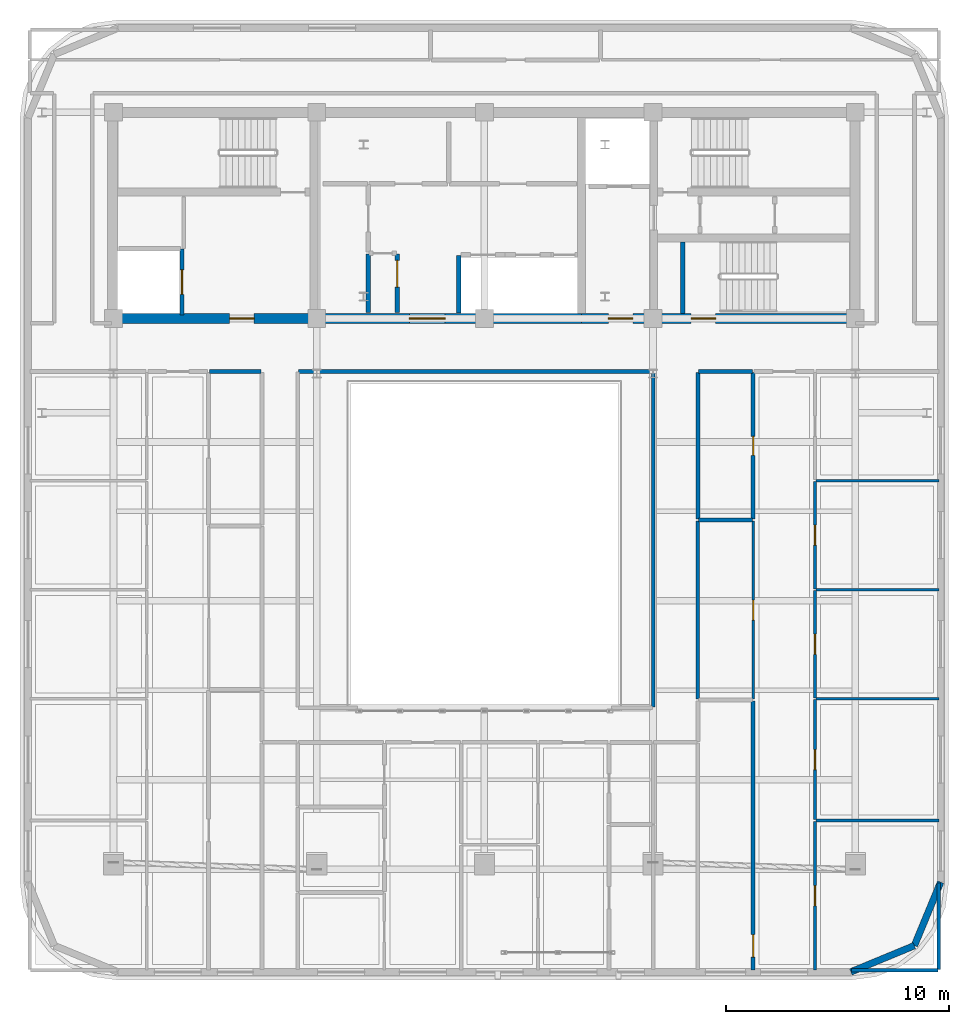
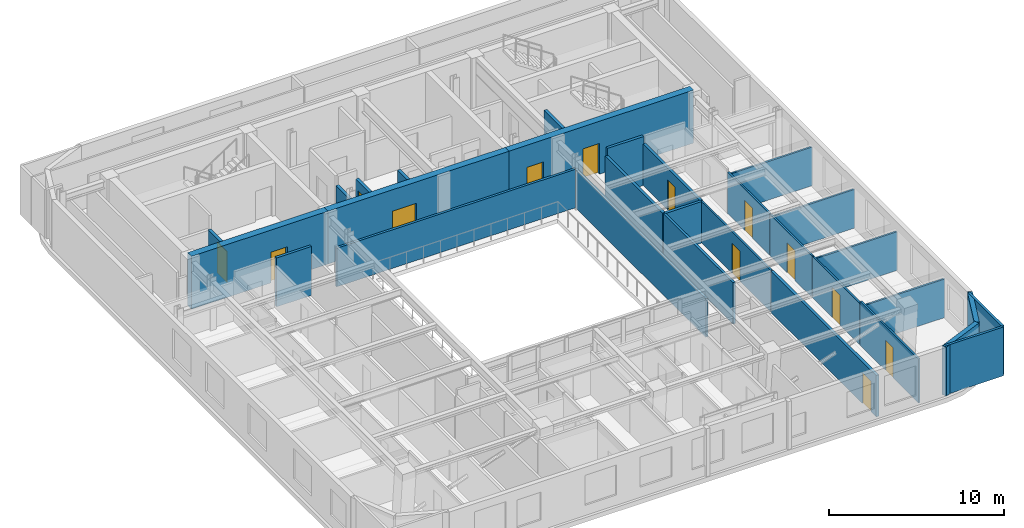
# One storey, part 9 of 14: 30 walls, 13 doors, 13 openings.
"""IFC4 building model written with IfcOpenShell, lengths in metres."""

from ifc_helpers import new_model, si_unit, direction, frame, frame_2d, origin, place, context, subcontext, project, spatial, rectangle, extrude, material, layer, layer_set, type_object, element, fill, save


model = new_model("IFC4")

# Units and contexts
model_context = context("Model", 3, precision=1e-05, world=origin(), true_north=direction((0.0, 1.0)))
body_context = subcontext(model_context, "Body", "Model", "MODEL_VIEW")
ifc_project = project(units=[si_unit("LENGTHUNIT", "METRE"), si_unit("AREAUNIT", "SQUARE_METRE"), si_unit("VOLUMEUNIT", "CUBIC_METRE"), si_unit("PLANEANGLEUNIT", "RADIAN"), si_unit("MASSUNIT", "GRAM", prefix="KILO")], contexts=[model_context])

# Site, building, storey
site_placement = place(None, origin())
site = spatial("IfcSite", under=ifc_project, at=site_placement, CompositionType="ELEMENT")
building_placement = place(site_placement, origin())
building = spatial("IfcBuilding", under=site, at=building_placement, Name="Zarnavel Station Tower", CompositionType="ELEMENT")
storey_placement = place(building_placement, frame((0.0, 0.0, 251.0)))
storey = spatial("IfcBuildingStorey", under=building, at=storey_placement, Name="L68", CompositionType="ELEMENT", Elevation=251.0)

# Wall, opening, door
ifc_material_1 = material(Name="Concrete C50/60", Category="concrete")
ifc_layer_1 = layer(ifc_material_1, 0.449951171875)
ifc_layer_set_1 = layer_set([ifc_layer_1], Name="CW_450")
wall_type_1 = type_object("IfcWallType", Name="CW_450", PredefinedType="SHEAR", material=ifc_layer_set_1)
wall_1_placement = place(storey_placement, frame((21.179931640625, 27.820068359375, 0.0), z_axis=(0.0, 0.0, 1.0), x_axis=(-1.0, 0.0, 0.0)))
wall_1 = element("IfcWall", 1, at=wall_1_placement, inside=storey, type_object=wall_type_1, Name="L68 Rear Core Shear Wall S-W", PredefinedType="SHEAR", context=body_context, shape_type="SweptSolid", body=[
    extrude(rectangle(XDim=9.030029296875, YDim=0.449951171875, at=frame_2d((4.51513671875, 0.0))), origin(), (0.0, 0.0, 1.0), 3.699951171875),
])
opening_1_placement = place(wall_1_placement, frame((2.679931640625, 0.0, 0.0)))
opening_1 = element("IfcOpeningElement", 2, at=opening_1_placement, cuts=wall_1, Name="Opening FD01", PredefinedType="OPENING", context=body_context, shape_type="SweptSolid", body=[
    extrude(rectangle(XDim=1.10009765625, YDim=2.14990234375, at=frame_2d((0.550048828125, 1.074951171875))), frame((0.0, 0.23486328125, 0.0), z_axis=(0.0, -1.0, 0.0), x_axis=(1.0, 0.0, 0.0)), (0.0, 0.0, 1.0), 0.469970703125),
])
ifc_material_2 = material(Name="Painted Galvanised Steel and Hardwood Leaf", Category="steel")
door_type_1 = type_object("IfcDoorType", Name="ID_STAIR_1100", OperationType="NOTDEFINED", PredefinedType="DOOR", material=ifc_material_2)
door_1_placement = place(opening_1_placement, origin())
door_1 = element("IfcDoor", 3, at=door_1_placement, inside=storey, type_object=door_type_1, Name="L68 West Firefighting Lobby Door", OperationType="SINGLE_SWING_RIGHT", OverallHeight=2.14990234375, OverallWidth=1.10009765625, PredefinedType="DOOR", context=body_context, shape_type="SweptSolid", body=[
    extrude(rectangle(XDim=1.10009765625, YDim=2.14990234375, at=frame_2d((0.550048828125, 1.074951171875))), frame((0.0, 0.02490234375, 0.0), z_axis=(0.0, -1.0, 0.0), x_axis=(1.0, 0.0, 0.0)), (0.0, 0.0, 1.0), 0.050048828125),
])
fill(opening_1, door_1)

wall_2_placement = place(storey_placement, frame((33.14990234375, 27.820068359375, 0.0), z_axis=(0.0, 0.0, 1.0), x_axis=(-1.0, 0.0, 0.0)))
wall_2 = element("IfcWall", 4, at=wall_2_placement, inside=storey, type_object=wall_type_1, Name="L68 Rear Core Shear Wall S-M", PredefinedType="SHEAR", context=body_context, shape_type="SweptSolid", body=[
    extrude(rectangle(XDim=11.969970703125, YDim=0.449951171875, at=frame_2d((5.98486328125, 0.0))), origin(), (0.0, 0.0, 1.0), 3.699951171875),
])
opening_2_placement = place(wall_2_placement, frame((6.10009765625, 0.0, 0.0)))
opening_2 = element("IfcOpeningElement", 5, at=opening_2_placement, cuts=wall_2, Name="Opening ID03", PredefinedType="OPENING", context=body_context, shape_type="SweptSolid", body=[
    extrude(rectangle(XDim=1.60009765625, YDim=2.199951171875, at=frame_2d((0.800048828125, 1.10009765625))), frame((0.0, 0.23486328125, 0.0), z_axis=(0.0, -1.0, 0.0), x_axis=(1.0, 0.0, 0.0)), (0.0, 0.0, 1.0), 0.469970703125),
])
ifc_material_3 = material(Name="Painted Galvanised Steel and Hardwood Leaf", Category="steel")
door_type_2 = type_object("IfcDoorType", Name="ID_PUBLIC_1600", OperationType="DOUBLE_DOOR_SINGLE_SWING", PredefinedType="DOOR", material=ifc_material_3)
door_2_placement = place(opening_2_placement, origin())
door_2 = element("IfcDoor", 6, at=door_2_placement, inside=storey, type_object=door_type_2, Name="L68 Passenger Lift Lobby Double Door", OperationType="SINGLE_SWING_LEFT", OverallHeight=2.199951171875, OverallWidth=1.60009765625, PredefinedType="DOOR", context=body_context, shape_type="SweptSolid", body=[
    extrude(rectangle(XDim=1.60009765625, YDim=2.199951171875, at=frame_2d((0.800048828125, 1.10009765625))), frame((0.0, 0.02490234375, 0.0), z_axis=(0.0, -1.0, 0.0), x_axis=(1.0, 0.0, 0.0)), (0.0, 0.0, 1.0), 0.050048828125),
])
fill(opening_2, door_2)

# Wall, openings, doors
wall_3_placement = place(storey_placement, frame((45.3798828125, 27.820068359375, 0.0), z_axis=(0.0, 0.0, 1.0), x_axis=(-1.0, 0.0, 0.0)))
wall_3 = element("IfcWall", 7, at=wall_3_placement, inside=storey, type_object=wall_type_1, Name="L68 Rear Core Shear Wall S-E", PredefinedType="SHEAR", context=body_context, shape_type="SweptSolid", body=[
    extrude(rectangle(XDim=12.22998046875, YDim=0.449951171875, at=frame_2d((6.114990234375, 0.0))), origin(), (0.0, 0.0, 1.0), 3.699951171875),
])
opening_3_placement = place(wall_3_placement, frame((9.929931640625, 0.0, 0.0)))
opening_3 = element("IfcOpeningElement", 8, at=opening_3_placement, cuts=wall_3, Name="Opening FD01", PredefinedType="OPENING", context=body_context, shape_type="SweptSolid", body=[
    extrude(rectangle(XDim=1.10009765625, YDim=2.14990234375, at=frame_2d((0.550048828125, 1.074951171875))), frame((0.0, 0.23486328125, 0.0), z_axis=(0.0, -1.0, 0.0), x_axis=(1.0, 0.0, 0.0)), (0.0, 0.0, 1.0), 0.469970703125),
])
opening_4_placement = place(wall_3_placement, frame((6.22998046875, 0.0, 0.0)))
opening_4 = element("IfcOpeningElement", 9, at=opening_4_placement, cuts=wall_3, Name="Opening FD01", PredefinedType="OPENING", context=body_context, shape_type="SweptSolid", body=[
    extrude(rectangle(XDim=1.10009765625, YDim=2.14990234375, at=frame_2d((0.550048828125, 1.074951171875))), frame((0.0, 0.23486328125, 0.0), z_axis=(0.0, -1.0, 0.0), x_axis=(1.0, 0.0, 0.0)), (0.0, 0.0, 1.0), 0.469970703125),
])
door_3_placement = place(opening_3_placement, origin())
door_3 = element("IfcDoor", 10, at=door_3_placement, inside=storey, type_object=door_type_1, Name="L68 East Firefighting Lobby Door", OperationType="SINGLE_SWING_LEFT", OverallHeight=2.14990234375, OverallWidth=1.10009765625, PredefinedType="DOOR", context=body_context, shape_type="SweptSolid", body=[
    extrude(rectangle(XDim=1.10009765625, YDim=2.14990234375, at=frame_2d((0.550048828125, 1.074951171875))), frame((0.0, 0.02490234375, 0.0), z_axis=(0.0, -1.0, 0.0), x_axis=(1.0, 0.0, 0.0)), (0.0, 0.0, 1.0), 0.050048828125),
])
fill(opening_3, door_3)
door_4_placement = place(opening_4_placement, origin())
door_4 = element("IfcDoor", 11, at=door_4_placement, inside=storey, type_object=door_type_1, Name="L68 Stair ST3 Corridor Fire Door", OperationType="SINGLE_SWING_RIGHT", OverallHeight=2.14990234375, OverallWidth=1.10009765625, PredefinedType="DOOR", context=body_context, shape_type="SweptSolid", body=[
    extrude(rectangle(XDim=1.10009765625, YDim=2.14990234375, at=frame_2d((0.550048828125, 1.074951171875))), frame((0.0, 0.02490234375, 0.0), z_axis=(0.0, -1.0, 0.0), x_axis=(1.0, 0.0, 0.0)), (0.0, 0.0, 1.0), 0.050048828125),
])
fill(opening_4, door_4)

# Walls
ifc_material_4 = material(Name="Precast concrete C45/55 (Dark Basalt Finish)", Category="masonry")
ifc_layer_2 = layer(ifc_material_4, 0.300048828125)
ifc_layer_set_2 = layer_set([ifc_layer_2], Name="EW_BASALT_300")
wall_type_2 = type_object("IfcWallType", Name="EW_BASALT_300", PredefinedType="SOLIDWALL", material=ifc_layer_set_2)
wall_4_placement = place(storey_placement, frame((48.04248046875, -0.24267578125, 0.0), z_axis=(0.0, 0.0, 1.0), x_axis=(-0.92389884758, -0.382636798336, 0.0)))
element("IfcWall", 12, at=wall_4_placement, inside=storey, type_object=wall_type_2, Name="L68 Exterior Basalt Masonry Frame Wall 01", PredefinedType="SOLIDWALL", context=body_context, shape_type="SweptSolid", body=[
    extrude(rectangle(XDim=3.07666015625, YDim=0.300048828125, at=frame_2d((1.538330078125, 0.0))), origin(), (0.0, 0.0, 1.0), 3.419921875),
])
wall_5_placement = place(storey_placement, frame((49.219970703125, 2.60009765625, 0.0), z_axis=(0.0, 0.0, 1.0), x_axis=(-0.382676475685, -0.923882414032, 0.0)))
element("IfcWall", 13, at=wall_5_placement, inside=storey, type_object=wall_type_2, Name="L68 Exterior Basalt Masonry Frame Wall 02", PredefinedType="SOLIDWALL", context=body_context, shape_type="SweptSolid", body=[
    extrude(rectangle(XDim=3.076904296875, YDim=0.300048828125, at=frame_2d((1.53857421875, 0.0))), origin(), (0.0, 0.0, 1.0), 3.419921875),
])
ifc_material_5 = material(Name="Gypsum Twin-Stud Acoustic Fire Partition", Category="concrete")
ifc_layer_3 = layer(ifc_material_5, 0.159912109375)
ifc_layer_set_3 = layer_set([ifc_layer_3], Name="PT_DEMISE_160")
wall_type_3 = type_object("IfcWallType", Name="PT_DEMISE_160", PredefinedType="PARTITIONING", material=ifc_layer_set_3)
wall_6_placement = place(storey_placement, frame((38.35009765625, 10.787109375, 0.0), z_axis=(0.0, 0.0, 1.0), x_axis=(0.0, 1.0, 0.0)))
element("IfcWall", 14, at=wall_6_placement, inside=storey, type_object=wall_type_3, Name="L68 Partition COR-AE-UE1UT", PredefinedType="PARTITIONING", context=body_context, shape_type="SweptSolid", body=[
    extrude(rectangle(XDim=7.974853515625, YDim=0.159912109375, at=frame_2d((3.9873046875, 0.0))), origin(), (0.0, 0.0, 1.0), 2.89990234375),
])
wall_7_placement = place(storey_placement, frame((20.47998046875, 25.449951171875, 0.0), z_axis=(0.0, 0.0, 1.0), x_axis=(1.0, 0.0, 0.0)))
element("IfcWall", 15, at=wall_7_placement, inside=storey, type_object=wall_type_3, Name="L68 Enclosure Wall COR-S", PredefinedType="PARTITIONING", context=body_context, shape_type="SweptSolid", body=[
    extrude(rectangle(XDim=15.840087890625, YDim=0.159912109375, at=frame_2d((7.919921875, 0.0))), origin(), (0.0, 0.0, 1.0), 2.699951171875),
])
wall_8_placement = place(storey_placement, frame((36.35009765625, 10.429931640625, 0.0), z_axis=(0.0, 0.0, 1.0), x_axis=(0.0, 1.0, 0.0)))
element("IfcWall", 16, at=wall_8_placement, inside=storey, type_object=wall_type_3, Name="L68 Enclosure Wall COR-AE", PredefinedType="PARTITIONING", context=body_context, shape_type="SweptSolid", body=[
    extrude(rectangle(XDim=14.989990234375, YDim=0.159912109375, at=frame_2d((7.4951171875, 0.0))), origin(), (0.0, 0.0, 1.0), 2.699951171875),
])
for number, where, z_axis, x_axis, name in (
    (17, (45.22998046875, -1.340087890625, 0.0), (0.0, 0.0, 1.0), (1.0, 0.0, 0.0), "L68 Enclosure Wall UE1B1"),
    (18, (49.139892578125, -1.31005859375, 0.0), (0.0, 0.0, 1.0), (0.0, 1.0, 0.0), "L68 Enclosure Wall UE1B1"),
):
    element("IfcWall", number, at=place(storey_placement, frame(where, z_axis=z_axis, x_axis=x_axis)), inside=storey, type_object=wall_type_3, Name=name, PredefinedType="PARTITIONING", context=body_context, shape_type="SweptSolid", body=[
        extrude(rectangle(XDim=3.880126953125, YDim=0.159912109375, at=frame_2d((1.93994140625, 0.0))), origin(), (0.0, 0.0, 1.0), 3.419921875),
    ])

# Wall, opening, door
ifc_material_6 = material(Name="Gypsum Metal-Stud Interior Partition", Category="concrete")
ifc_layer_4 = layer(ifc_material_6, 0.1201171875)
ifc_layer_set_4 = layer_set([ifc_layer_4], Name="PT_ROOM_120")
wall_type_4 = type_object("IfcWallType", Name="PT_ROOM_120", PredefinedType="PARTITIONING", material=ifc_layer_set_4)
wall_9_placement = place(storey_placement, frame((40.83203125, 10.787109375, 0.0), z_axis=(0.0, 0.0, 1.0), x_axis=(0.0, 1.0, 0.0)))
wall_9 = element("IfcWall", 19, at=wall_9_placement, inside=storey, type_object=wall_type_4, Name="L68 Partition UE1LV-UE1UT", PredefinedType="PARTITIONING", context=body_context, shape_type="SweptSolid", body=[
    extrude(rectangle(XDim=7.974853515625, YDim=0.1201171875, at=frame_2d((3.9873046875, 0.0))), origin(), (0.0, 0.0, 1.0), 2.89990234375),
])
opening_5_placement = place(wall_9_placement, frame((3.53759765625, 0.0, 0.0)))
opening_5 = element("IfcOpeningElement", 20, at=opening_5_placement, cuts=wall_9, Name="Opening ID01", PredefinedType="OPENING", context=body_context, shape_type="SweptSolid", body=[
    extrude(rectangle(XDim=0.89990234375, YDim=2.10009765625, at=frame_2d((0.449951171875, 1.050048828125))), frame((0.0, 0.070068359375, 0.0), z_axis=(0.0, -1.0, 0.0), x_axis=(1.0, 0.0, 0.0)), (0.0, 0.0, 1.0), 0.14013671875),
])
ifc_material_7 = material(Name="Painted Galvanised Steel and Hardwood Leaf", Category="steel")
door_type_3 = type_object("IfcDoorType", Name="ID_ROOM_900", OperationType="NOTDEFINED", PredefinedType="DOOR", material=ifc_material_7)
door_5_placement = place(opening_5_placement, origin())
door_5 = element("IfcDoor", 21, at=door_5_placement, inside=storey, type_object=door_type_3, Name="L68 Door UE1LV-UE1UT", OperationType="SINGLE_SWING_LEFT", OverallHeight=2.10009765625, OverallWidth=0.89990234375, PredefinedType="DOOR", context=body_context, shape_type="SweptSolid", body=[
    extrude(rectangle(XDim=0.89990234375, YDim=2.10009765625, at=frame_2d((0.449951171875, 1.050048828125))), frame((0.0, 0.02490234375, 0.0), z_axis=(0.0, -1.0, 0.0), x_axis=(1.0, 0.0, 0.0)), (0.0, 0.0, 1.0), 0.050048828125),
])
fill(opening_5, door_5)

wall_10_placement = place(storey_placement, frame((43.593994140625, -1.340087890625, 0.0), z_axis=(0.0, 0.0, 1.0), x_axis=(0.0, 1.0, 0.0)))
wall_10 = element("IfcWall", 22, at=wall_10_placement, inside=storey, type_object=wall_type_4, Name="L68 Partition UE1LV-UE1B1", PredefinedType="PARTITIONING", context=body_context, shape_type="SweptSolid", body=[
    extrude(rectangle(XDim=6.656982421875, YDim=0.1201171875, at=frame_2d((3.32861328125, 0.0))), origin(), (0.0, 0.0, 1.0), 3.080078125),
])
opening_6_placement = place(wall_10_placement, frame((2.87841796875, 0.0, 0.0)))
opening_6 = element("IfcOpeningElement", 23, at=opening_6_placement, cuts=wall_10, Name="Opening ID01", PredefinedType="OPENING", context=body_context, shape_type="SweptSolid", body=[
    extrude(rectangle(XDim=0.89990234375, YDim=2.10009765625, at=frame_2d((0.449951171875, 1.050048828125))), frame((0.0, 0.070068359375, 0.0), z_axis=(0.0, -1.0, 0.0), x_axis=(1.0, 0.0, 0.0)), (0.0, 0.0, 1.0), 0.14013671875),
])
door_6_placement = place(opening_6_placement, origin())
door_6 = element("IfcDoor", 24, at=door_6_placement, inside=storey, type_object=door_type_3, Name="L68 Door UE1LV-UE1B1", OperationType="SINGLE_SWING_LEFT", OverallHeight=2.10009765625, OverallWidth=0.89990234375, PredefinedType="DOOR", context=body_context, shape_type="SweptSolid", body=[
    extrude(rectangle(XDim=0.89990234375, YDim=2.10009765625, at=frame_2d((0.449951171875, 1.050048828125))), frame((0.0, 0.02490234375, 0.0), z_axis=(0.0, -1.0, 0.0), x_axis=(1.0, 0.0, 0.0)), (0.0, 0.0, 1.0), 0.050048828125),
])
fill(opening_6, door_6)

wall_11_placement = place(storey_placement, frame((43.593994140625, 5.39697265625, 0.0), z_axis=(0.0, 0.0, 1.0), x_axis=(0.0, 1.0, 0.0)))
wall_11 = element("IfcWall", 25, at=wall_11_placement, inside=storey, type_object=wall_type_4, Name="L68 Partition UE1LV-UE1B2", PredefinedType="PARTITIONING", context=body_context, shape_type="SweptSolid", body=[
    extrude(rectangle(XDim=5.369140625, YDim=0.1201171875, at=frame_2d((2.6845703125, 0.0))), origin(), (0.0, 0.0, 1.0), 2.89990234375),
])
opening_7_placement = place(wall_11_placement, frame((2.234619140625, 0.0, 0.0)))
opening_7 = element("IfcOpeningElement", 26, at=opening_7_placement, cuts=wall_11, Name="Opening ID01", PredefinedType="OPENING", context=body_context, shape_type="SweptSolid", body=[
    extrude(rectangle(XDim=0.89990234375, YDim=2.10009765625, at=frame_2d((0.449951171875, 1.050048828125))), frame((0.0, 0.070068359375, 0.0), z_axis=(0.0, -1.0, 0.0), x_axis=(1.0, 0.0, 0.0)), (0.0, 0.0, 1.0), 0.14013671875),
])
door_7_placement = place(opening_7_placement, origin())
door_7 = element("IfcDoor", 27, at=door_7_placement, inside=storey, type_object=door_type_3, Name="L68 Door UE1LV-UE1B2", OperationType="SINGLE_SWING_RIGHT", OverallHeight=2.10009765625, OverallWidth=0.89990234375, PredefinedType="DOOR", context=body_context, shape_type="SweptSolid", body=[
    extrude(rectangle(XDim=0.89990234375, YDim=2.10009765625, at=frame_2d((0.449951171875, 1.050048828125))), frame((0.0, 0.02490234375, 0.0), z_axis=(0.0, -1.0, 0.0), x_axis=(1.0, 0.0, 0.0)), (0.0, 0.0, 1.0), 0.050048828125),
])
fill(opening_7, door_7)

wall_12_placement = place(storey_placement, frame((43.593994140625, 10.845947265625, 0.0), z_axis=(0.0, 0.0, 1.0), x_axis=(0.0, 1.0, 0.0)))
wall_12 = element("IfcWall", 28, at=wall_12_placement, inside=storey, type_object=wall_type_4, Name="L68 Partition UE1LV-UE1B3", PredefinedType="PARTITIONING", context=body_context, shape_type="SweptSolid", body=[
    extrude(rectangle(XDim=4.801025390625, YDim=0.1201171875, at=frame_2d((2.400390625, 0.0))), origin(), (0.0, 0.0, 1.0), 2.89990234375),
])
opening_8_placement = place(wall_12_placement, frame((1.950439453125, 0.0, 0.0)))
opening_8 = element("IfcOpeningElement", 29, at=opening_8_placement, cuts=wall_12, Name="Opening ID01", PredefinedType="OPENING", context=body_context, shape_type="SweptSolid", body=[
    extrude(rectangle(XDim=0.89990234375, YDim=2.10009765625, at=frame_2d((0.449951171875, 1.050048828125))), frame((0.0, 0.070068359375, 0.0), z_axis=(0.0, -1.0, 0.0), x_axis=(1.0, 0.0, 0.0)), (0.0, 0.0, 1.0), 0.14013671875),
])
door_8_placement = place(opening_8_placement, origin())
door_8 = element("IfcDoor", 30, at=door_8_placement, inside=storey, type_object=door_type_3, Name="L68 Door UE1LV-UE1B3", OperationType="SINGLE_SWING_LEFT", OverallHeight=2.10009765625, OverallWidth=0.89990234375, PredefinedType="DOOR", context=body_context, shape_type="SweptSolid", body=[
    extrude(rectangle(XDim=0.89990234375, YDim=2.10009765625, at=frame_2d((0.449951171875, 1.050048828125))), frame((0.0, 0.02490234375, 0.0), z_axis=(0.0, -1.0, 0.0), x_axis=(1.0, 0.0, 0.0)), (0.0, 0.0, 1.0), 0.050048828125),
])
fill(opening_8, door_8)

wall_13_placement = place(storey_placement, frame((43.593994140625, 15.72705078125, 0.0), z_axis=(0.0, 0.0, 1.0), x_axis=(0.0, 1.0, 0.0)))
wall_13 = element("IfcWall", 31, at=wall_13_placement, inside=storey, type_object=wall_type_4, Name="L68 Partition UE1LV-UE1B4", PredefinedType="PARTITIONING", context=body_context, shape_type="SweptSolid", body=[
    extrude(rectangle(XDim=4.801025390625, YDim=0.1201171875, at=frame_2d((2.400390625, 0.0))), origin(), (0.0, 0.0, 1.0), 2.89990234375),
])
opening_9_placement = place(wall_13_placement, frame((1.950439453125, 0.0, 0.0)))
opening_9 = element("IfcOpeningElement", 32, at=opening_9_placement, cuts=wall_13, Name="Opening ID01", PredefinedType="OPENING", context=body_context, shape_type="SweptSolid", body=[
    extrude(rectangle(XDim=0.89990234375, YDim=2.10009765625, at=frame_2d((0.449951171875, 1.050048828125))), frame((0.0, 0.070068359375, 0.0), z_axis=(0.0, -1.0, 0.0), x_axis=(1.0, 0.0, 0.0)), (0.0, 0.0, 1.0), 0.14013671875),
])
door_9_placement = place(opening_9_placement, origin())
door_9 = element("IfcDoor", 33, at=door_9_placement, inside=storey, type_object=door_type_3, Name="L68 Door UE1LV-UE1B4", OperationType="SINGLE_SWING_RIGHT", OverallHeight=2.10009765625, OverallWidth=0.89990234375, PredefinedType="DOOR", context=body_context, shape_type="SweptSolid", body=[
    extrude(rectangle(XDim=0.89990234375, YDim=2.10009765625, at=frame_2d((0.449951171875, 1.050048828125))), frame((0.0, 0.02490234375, 0.0), z_axis=(0.0, -1.0, 0.0), x_axis=(1.0, 0.0, 0.0)), (0.0, 0.0, 1.0), 0.050048828125),
])
fill(opening_9, door_9)

# Walls
for number, where, z_axis, x_axis, name in (
    (34, (43.634033203125, 5.35693359375, 0.0), (0.0, 0.0, 1.0), (1.0, 0.0, 0.0), "L68 Partition UE1B1-UE1B2"),
    (35, (43.634033203125, 10.805908203125, 0.0), (0.0, 0.0, 1.0), (1.0, 0.0, 0.0), "L68 Partition UE1B2-UE1B3"),
    (36, (43.634033203125, 15.68701171875, 0.0), (0.0, 0.0, 1.0), (1.0, 0.0, 0.0), "L68 Partition UE1B3-UE1B4"),
    (37, (43.634033203125, 20.568115234375, 0.0), (0.0, 0.0, 1.0), (1.0, 0.0, 0.0), "L68 Partition UE1B4-UE1B5"),
):
    element("IfcWall", number, at=place(storey_placement, frame(where, z_axis=z_axis, x_axis=x_axis)), inside=storey, type_object=wall_type_4, Name=name, PredefinedType="PARTITIONING", context=body_context, shape_type="SweptSolid", body=[
        extrude(rectangle(XDim=5.505859375, YDim=0.1201171875, at=frame_2d((2.7529296875, 0.0))), origin(), (0.0, 0.0, 1.0), 2.699951171875),
    ])

# Wall, opening, door
ifc_material_8 = material(Name="Precast concrete C45/55 (Fire Shaft Blockwork)", Category="masonry")
ifc_layer_5 = layer(ifc_material_8, 0.199951171875)
ifc_layer_set_5 = layer_set([ifc_layer_5], Name="PT_SHAFT_200")
wall_type_5 = type_object("IfcWallType", Name="PT_SHAFT_200", PredefinedType="PARTITIONING", material=ifc_layer_set_5)
wall_14_placement = place(storey_placement, frame((15.27001953125, 27.969970703125, 0.0), z_axis=(0.0, 0.0, 1.0), x_axis=(0.0, 1.0, 0.0)))
wall_14 = element("IfcWall", 38, at=wall_14_placement, inside=storey, type_object=wall_type_5, Name="L68 Lift FFL-01 Shaft Front Wall", PredefinedType="PARTITIONING", context=body_context, shape_type="SweptSolid", body=[
    extrude(rectangle(XDim=2.9599609375, YDim=0.199951171875, at=frame_2d((1.47998046875, 0.0))), origin(), (0.0, 0.0, 1.0), 2.489990234375),
])
opening_10_placement = place(wall_14_placement, frame((0.929931640625, 0.0, 0.0)))
opening_10 = element("IfcOpeningElement", 39, at=opening_10_placement, cuts=wall_14, Name="Opening LD01", PredefinedType="OPENING", context=body_context, shape_type="SweptSolid", body=[
    extrude(rectangle(XDim=1.10009765625, YDim=2.14990234375, at=frame_2d((0.550048828125, 1.074951171875))), frame((0.0, 0.10986328125, 0.0), z_axis=(0.0, -1.0, 0.0), x_axis=(1.0, 0.0, 0.0)), (0.0, 0.0, 1.0), 0.219970703125),
])
ifc_material_9 = material(Name="Painted Galvanised Steel and Hardwood Leaf", Category="steel")
door_type_4 = type_object("IfcDoorType", Name="LD_FF_1100", OperationType="DOUBLE_DOOR_SLIDING", PredefinedType="DOOR", material=ifc_material_9)
door_10_placement = place(opening_10_placement, origin())
door_10 = element("IfcDoor", 40, at=door_10_placement, inside=storey, type_object=door_type_4, Name="L68 Lift FFL-01 Sliding Landing Door", OperationType="DOUBLE_DOOR_SLIDING", OverallHeight=2.14990234375, OverallWidth=1.10009765625, PredefinedType="DOOR", context=body_context, shape_type="SweptSolid", body=[
    extrude(rectangle(XDim=1.10009765625, YDim=2.14990234375, at=frame_2d((0.550048828125, 1.074951171875))), frame((0.0, 0.02490234375, 0.0), z_axis=(0.0, -1.0, 0.0), x_axis=(1.0, 0.0, 0.0)), (0.0, 0.0, 1.0), 0.050048828125),
])
fill(opening_10, door_10)

# Walls
wall_15_placement = place(storey_placement, frame((27.64990234375, 28.070068359375, 0.0), z_axis=(0.0, 0.0, 1.0), x_axis=(0.0, 1.0, 0.0)))
element("IfcWall", 41, at=wall_15_placement, inside=storey, type_object=wall_type_5, Name="L68 High-Rise Lift Bank West Shaft Wall", PredefinedType="PARTITIONING", context=body_context, shape_type="SweptSolid", body=[
    extrude(rectangle(XDim=2.579833984375, YDim=0.199951171875, at=frame_2d((1.2900390625, 0.0))), origin(), (0.0, 0.0, 1.0), 2.489990234375),
])
wall_16_placement = place(storey_placement, frame((37.679931640625, 28.044921875, 0.0), z_axis=(0.0, 0.0, 1.0), x_axis=(0.0, 1.0, 0.0)))
element("IfcWall", 42, at=wall_16_placement, inside=storey, type_object=wall_type_5, Name="L68 Stair ST3 West Shaft Wall", PredefinedType="PARTITIONING", context=body_context, shape_type="SweptSolid", body=[
    extrude(rectangle(XDim=3.205078125, YDim=0.199951171875, at=frame_2d((1.6025390625, 0.0))), origin(), (0.0, 0.0, 1.0), 2.800048828125),
])

# Wall, opening, door
wall_17_placement = place(storey_placement, frame((24.89990234375, 30.7099609375, 0.0), z_axis=(0.0, 0.0, 1.0), x_axis=(0.0, -1.0, 0.0)))
wall_17 = element("IfcWall", 43, at=wall_17_placement, inside=storey, type_object=wall_type_5, Name="L68 Partition LLOBS-CS2", PredefinedType="PARTITIONING", context=body_context, shape_type="SweptSolid", body=[
    extrude(rectangle(XDim=2.619873046875, YDim=0.199951171875, at=frame_2d((1.31005859375, 0.0))), origin(), (0.0, 0.0, 1.0), 2.800048828125),
])
opening_11_placement = place(wall_17_placement, frame((0.282470703125, 0.0, 0.0)))
opening_11 = element("IfcOpeningElement", 44, at=opening_11_placement, cuts=wall_17, Name="Opening FD03", PredefinedType="OPENING", context=body_context, shape_type="SweptSolid", body=[
    extrude(rectangle(XDim=1.199951171875, YDim=2.14990234375, at=frame_2d((0.60009765625, 1.074951171875))), frame((0.0, 0.10986328125, 0.0), z_axis=(0.0, -1.0, 0.0), x_axis=(1.0, 0.0, 0.0)), (0.0, 0.0, 1.0), 0.219970703125),
])
ifc_material_10 = material(Name="Painted Galvanised Steel and Hardwood Leaf", Category="steel")
door_type_5 = type_object("IfcDoorType", Name="ID_PLANT_1200", OperationType="NOTDEFINED", PredefinedType="DOOR", material=ifc_material_10)
door_11_placement = place(opening_11_placement, origin())
door_11 = element("IfcDoor", 45, at=door_11_placement, inside=storey, type_object=door_type_5, Name="L68 Door LLOBS-CS2", OperationType="SINGLE_SWING_LEFT", OverallHeight=2.14990234375, OverallWidth=1.199951171875, PredefinedType="DOOR", context=body_context, shape_type="SweptSolid", body=[
    extrude(rectangle(XDim=1.199951171875, YDim=2.14990234375, at=frame_2d((0.60009765625, 1.074951171875))), frame((0.0, 0.02490234375, 0.0), z_axis=(0.0, -1.0, 0.0), x_axis=(1.0, 0.0, 0.0)), (0.0, 0.0, 1.0), 0.050048828125),
])
fill(opening_11, door_11)

# Walls
wall_18_placement = place(storey_placement, frame((23.60009765625, 28.090087890625, 0.0), z_axis=(0.0, 0.0, 1.0), x_axis=(0.0, 1.0, 0.0)))
element("IfcWall", 46, at=wall_18_placement, inside=storey, type_object=wall_type_5, Name="L68 Partition CS1-CS2", PredefinedType="PARTITIONING", context=body_context, shape_type="SweptSolid", body=[
    extrude(rectangle(XDim=2.619873046875, YDim=0.199951171875, at=frame_2d((1.31005859375, 0.0))), origin(), (0.0, 0.0, 1.0), 2.800048828125),
])
ifc_material_11 = material(Name="Moisture-Resistant Plumbing Chase Wall", Category="concrete")
ifc_layer_6 = layer(ifc_material_11, 0.179931640625)
ifc_layer_set_6 = layer_set([ifc_layer_6], Name="PW_PLUMB_180")
wall_type_6 = type_object("IfcWallType", Name="PW_PLUMB_180", PredefinedType="PLUMBINGWALL", material=ifc_layer_set_6)
wall_19_placement = place(storey_placement, frame((16.5, 25.449951171875, 0.0), z_axis=(0.0, 0.0, 1.0), x_axis=(1.0, 0.0, 0.0)))
element("IfcWall", 47, at=wall_19_placement, inside=storey, type_object=wall_type_6, Name="L68 Partition COR-S-UW1BA", PredefinedType="PLUMBINGWALL", context=body_context, shape_type="SweptSolid", body=[
    extrude(rectangle(XDim=2.31005859375, YDim=0.179931640625, at=frame_2d((1.155029296875, 0.0))), origin(), (0.0, 0.0, 1.0), 3.419921875),
])
wall_20_placement = place(storey_placement, frame((38.389892578125, 25.449951171875, 0.0), z_axis=(0.0, 0.0, 1.0), x_axis=(1.0, 0.0, 0.0)))
element("IfcWall", 48, at=wall_20_placement, inside=storey, type_object=wall_type_6, Name="L68 Partition COR-S-UE1BA", PredefinedType="PLUMBINGWALL", context=body_context, shape_type="SweptSolid", body=[
    extrude(rectangle(XDim=2.402099609375, YDim=0.179931640625, at=frame_2d((1.201171875, 0.0))), origin(), (0.0, 0.0, 1.0), 3.419921875),
])
wall_21_placement = place(storey_placement, frame((38.35009765625, 18.842041015625, 0.0), z_axis=(0.0, 0.0, 1.0), x_axis=(0.0, 1.0, 0.0)))
element("IfcWall", 49, at=wall_21_placement, inside=storey, type_object=wall_type_6, Name="L68 Partition COR-AE-UE1BA", PredefinedType="PLUMBINGWALL", context=body_context, shape_type="SweptSolid", body=[
    extrude(rectangle(XDim=6.56787109375, YDim=0.179931640625, at=frame_2d((3.283935546875, 0.0))), origin(), (0.0, 0.0, 1.0), 2.89990234375),
])

# Wall, opening, door
wall_22_placement = place(storey_placement, frame((40.83203125, -1.340087890625, 0.0), z_axis=(0.0, 0.0, 1.0), x_axis=(0.0, 1.0, 0.0)))
wall_22 = element("IfcWall", 50, at=wall_22_placement, inside=storey, type_object=wall_type_6, Name="L68 Partition UE1LV-UE1KT", PredefinedType="PLUMBINGWALL", context=body_context, shape_type="SweptSolid", body=[
    extrude(rectangle(XDim=12.047119140625, YDim=0.179931640625, at=frame_2d((6.0234375, 0.0))), origin(), (0.0, 0.0, 1.0), 2.89990234375),
])
opening_12_placement = place(wall_22_placement, frame((0.588623046875, 0.0, 0.0)))
opening_12 = element("IfcOpeningElement", 51, at=opening_12_placement, cuts=wall_22, Name="Opening FD02", PredefinedType="OPENING", context=body_context, shape_type="SweptSolid", body=[
    extrude(rectangle(XDim=1.0, YDim=2.14990234375, at=frame_2d((0.5, 1.074951171875))), frame((0.0, 0.099853515625, 0.0), z_axis=(0.0, -1.0, 0.0), x_axis=(1.0, 0.0, 0.0)), (0.0, 0.0, 1.0), 0.199951171875),
])
ifc_material_12 = material(Name="Painted Galvanised Steel and Hardwood Leaf", Category="steel")
door_type_6 = type_object("IfcDoorType", Name="ID_ENTRY_1000", OperationType="NOTDEFINED", PredefinedType="DOOR", material=ifc_material_12)
door_12_placement = place(opening_12_placement, origin())
door_12 = element("IfcDoor", 52, at=door_12_placement, inside=storey, type_object=door_type_6, Name="L68 Door UE1LV-UE1KT", OperationType="SINGLE_SWING_RIGHT", OverallHeight=2.14990234375, OverallWidth=1.0, PredefinedType="DOOR", context=body_context, shape_type="SweptSolid", body=[
    extrude(rectangle(XDim=1.0, YDim=2.14990234375, at=frame_2d((0.5, 1.074951171875))), frame((0.0, 0.02490234375, 0.0), z_axis=(0.0, -1.0, 0.0), x_axis=(1.0, 0.0, 0.0)), (0.0, 0.0, 1.0), 0.050048828125),
])
fill(opening_12, door_12)

wall_23_placement = place(storey_placement, frame((40.83203125, 18.842041015625, 0.0), z_axis=(0.0, 0.0, 1.0), x_axis=(0.0, 1.0, 0.0)))
wall_23 = element("IfcWall", 53, at=wall_23_placement, inside=storey, type_object=wall_type_6, Name="L68 Partition UE1LV-UE1BA", PredefinedType="PLUMBINGWALL", context=body_context, shape_type="SweptSolid", body=[
    extrude(rectangle(XDim=6.56787109375, YDim=0.179931640625, at=frame_2d((3.283935546875, 0.0))), origin(), (0.0, 0.0, 1.0), 2.89990234375),
])
opening_13_placement = place(wall_23_placement, frame((2.85888671875, 0.0, 0.0)))
opening_13 = element("IfcOpeningElement", 54, at=opening_13_placement, cuts=wall_23, Name="Opening ID02", PredefinedType="OPENING", context=body_context, shape_type="SweptSolid", body=[
    extrude(rectangle(XDim=0.85009765625, YDim=2.10009765625, at=frame_2d((0.425048828125, 1.050048828125))), frame((0.0, 0.099853515625, 0.0), z_axis=(0.0, -1.0, 0.0), x_axis=(1.0, 0.0, 0.0)), (0.0, 0.0, 1.0), 0.199951171875),
])
ifc_material_13 = material(Name="Painted Galvanised Steel and Hardwood Leaf", Category="steel")
door_type_7 = type_object("IfcDoorType", Name="ID_BATH_850", OperationType="NOTDEFINED", PredefinedType="DOOR", material=ifc_material_13)
door_13_placement = place(opening_13_placement, origin())
door_13 = element("IfcDoor", 55, at=door_13_placement, inside=storey, type_object=door_type_7, Name="L68 Door UE1LV-UE1BA", OperationType="SINGLE_SWING_RIGHT", OverallHeight=2.10009765625, OverallWidth=0.85009765625, PredefinedType="DOOR", context=body_context, shape_type="SweptSolid", body=[
    extrude(rectangle(XDim=0.85009765625, YDim=2.10009765625, at=frame_2d((0.425048828125, 1.050048828125))), frame((0.0, 0.02490234375, 0.0), z_axis=(0.0, -1.0, 0.0), x_axis=(1.0, 0.0, 0.0)), (0.0, 0.0, 1.0), 0.050048828125),
])
fill(opening_13, door_13)

# Wall
wall_24_placement = place(storey_placement, frame((38.389892578125, 18.802001953125, 0.0), z_axis=(0.0, 0.0, 1.0), x_axis=(1.0, 0.0, 0.0)))
element("IfcWall", 56, at=wall_24_placement, inside=storey, type_object=wall_type_6, Name="L68 Partition UE1UT-UE1BA", PredefinedType="PLUMBINGWALL", context=body_context, shape_type="SweptSolid", body=[
    extrude(rectangle(XDim=2.402099609375, YDim=0.179931640625, at=frame_2d((1.201171875, 0.0))), origin(), (0.0, 0.0, 1.0), 2.89990234375),
])

save(model, "model.ifc")
